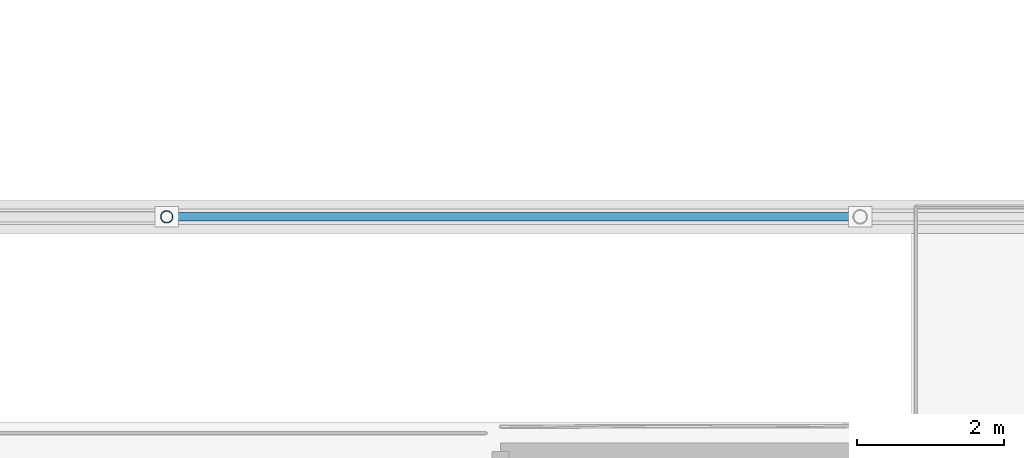
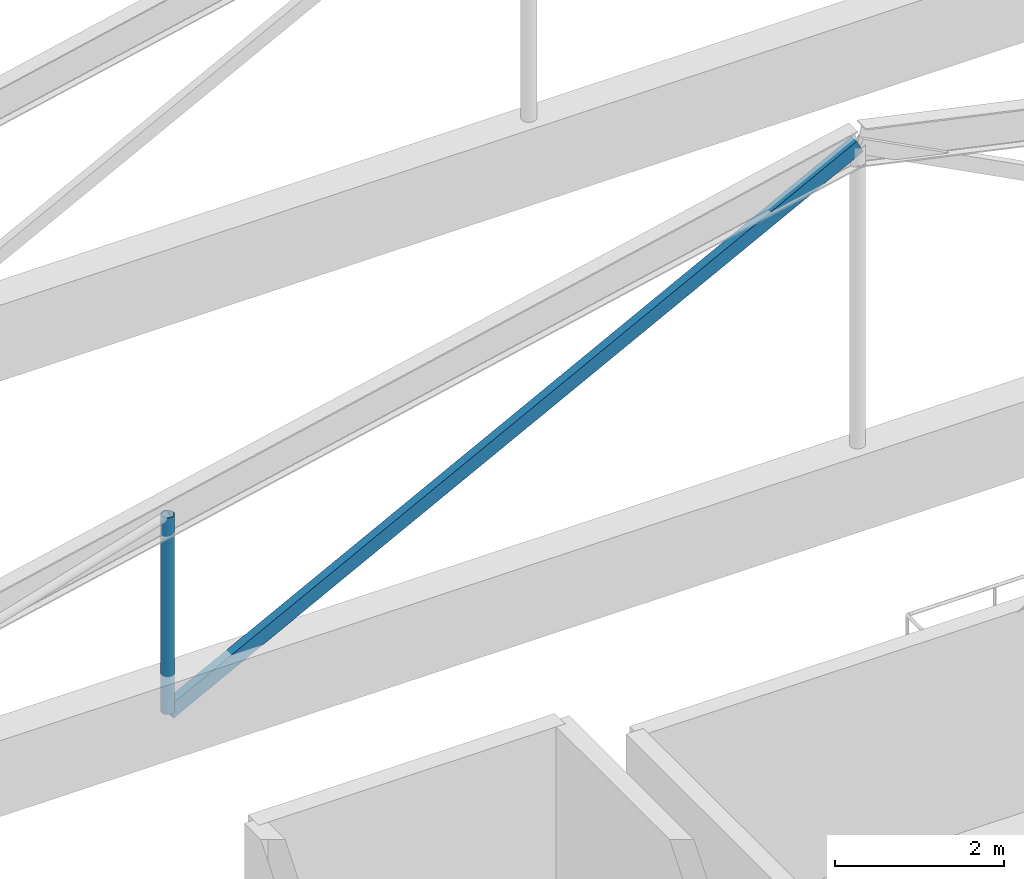
# One storey, part 22 of 105: 2 members.
"""IFC4 building model written with IfcOpenShell, lengths in metres."""

from ifc_helpers import new_model, si_unit, direction, frame, origin, origin_2d, place, context, subcontext, project, spatial, hollow_rectangle, hollow_circle, extrude, material, material_profile, profile_set, type_object, element, save


model = new_model("IFC4")

# Units and contexts
model_context = context("Model", 3, precision=1e-05, world=origin(), true_north=direction((0.0, 1.0)))
body_context = subcontext(model_context, "Body", "Model", "MODEL_VIEW")
ifc_project = project(units=[si_unit("LENGTHUNIT", "METRE"), si_unit("AREAUNIT", "SQUARE_METRE"), si_unit("VOLUMEUNIT", "CUBIC_METRE"), si_unit("PLANEANGLEUNIT", "RADIAN"), si_unit("MASSUNIT", "GRAM", prefix="KILO")], contexts=[model_context])

# Site, building, storey
site_placement = place(None, origin())
site = spatial("IfcSite", under=ifc_project, at=site_placement, CompositionType="ELEMENT")
building_placement = place(site_placement, origin())
building = spatial("IfcBuilding", under=site, at=building_placement, Name="Pelvatis Terrace Science Centre", CompositionType="ELEMENT")
storey_placement = place(building_placement, frame((0.0, 0.0, 10.199951171875)))
storey = spatial("IfcBuildingStorey", under=building, at=storey_placement, Name="L02", CompositionType="ELEMENT", Elevation=10.199951171875)

# Members
ifc_material_1 = material(Name="Structural steel S355", Category="steel")
ifc_material_profile_1 = material_profile(ifc_material_1, hollow_rectangle(XDim=0.1201171875, YDim=0.199951171875, WallThickness=0.00634765625, at=origin_2d()), Name="RHS 200x120x6.3")
ifc_profile_set_1 = profile_set([ifc_material_profile_1], Name="Structural steel S355")
member_type_1 = type_object("IfcMemberType", Name="MEM-BRC-RHS200", PredefinedType="BRACE", material=ifc_profile_set_1)
member_1_placement = place(storey_placement, frame((17.85009765625, 85.800048828125, 3.400146484375), z_axis=(0.887757308466, 0.0, 0.46031180874), x_axis=(0.0, 1.0, 0.0)))
element("IfcMember", 1, at=member_1_placement, inside=storey, type_object=member_type_1, Name="Theatre truss 3 web 4", PredefinedType="BRACE", context=body_context, shape_type="SweptSolid", body=[
    extrude(hollow_rectangle(XDim=0.1201171875, YDim=0.199951171875, WallThickness=0.00634765625, at=origin_2d()), origin(), (0.0, 0.0, 1.0), 10.644775390625),
])
ifc_material_2 = material(Name="Structural steel S355", Category="steel")
ifc_material_profile_2 = material_profile(ifc_material_2, hollow_circle(Radius=0.084228515625, WallThickness=0.00634765625, at=origin_2d()), Name="CHS 168.3x6.3")
ifc_profile_set_2 = profile_set([ifc_material_profile_2], Name="Structural steel S355")
member_type_2 = type_object("IfcMemberType", Name="MEM-STR-CHS168", PredefinedType="STRUT", material=ifc_profile_set_2)
member_2_placement = place(storey_placement, frame((17.85009765625, 85.800048828125, 3.400146484375), z_axis=(0.0, 0.0, 1.0), x_axis=(1.0, 0.0, 0.0)))
element("IfcMember", 2, at=member_2_placement, inside=storey, type_object=member_type_2, Name="Theatre truss 3 web 1", PredefinedType="STRUT", context=body_context, shape_type="SweptSolid", body=[
    extrude(hollow_circle(Radius=0.084228515625, WallThickness=0.00634765625, at=origin_2d()), origin(), (0.0, 0.0, 1.0), 2.849853515625),
])

save(model, "model.ifc")
